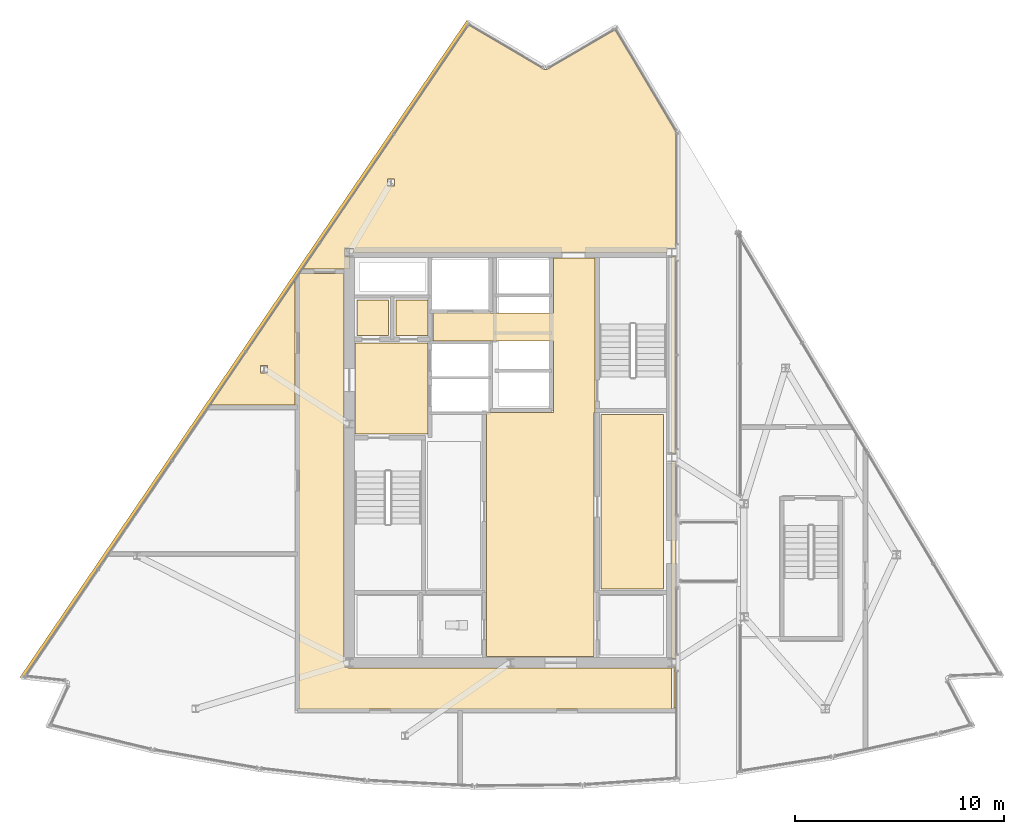
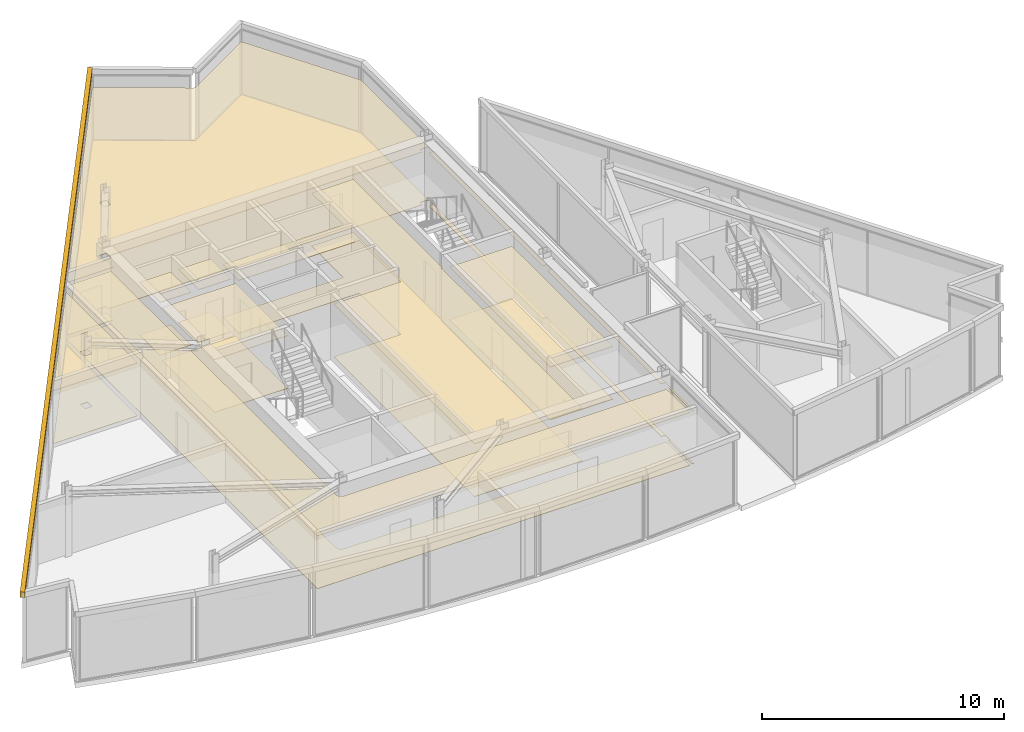
# One storey, part 12 of 15: 17 coverings.
"""IFC4 building model written with IfcOpenShell, lengths in metres."""

from ifc_helpers import new_model, si_unit, direction, frame, origin, place, context, subcontext, project, spatial, polyline, outline, extrude, material, layer, layer_set, type_object, element, save


model = new_model("IFC4")

# Units and contexts
model_context = context("Model", 3, precision=1e-05, world=origin(), true_north=direction((0.0, 1.0)))
body_context = subcontext(model_context, "Body", "Model", "MODEL_VIEW")
ifc_project = project(units=[si_unit("LENGTHUNIT", "METRE"), si_unit("AREAUNIT", "SQUARE_METRE"), si_unit("VOLUMEUNIT", "CUBIC_METRE"), si_unit("PLANEANGLEUNIT", "RADIAN"), si_unit("MASSUNIT", "GRAM", prefix="KILO")], contexts=[model_context])

# Site, building, storey
site_placement = place(None, origin())
site = spatial("IfcSite", under=ifc_project, at=site_placement, CompositionType="ELEMENT")
building_placement = place(site_placement, origin())
building = spatial("IfcBuilding", under=site, at=building_placement, Name="Savorim Split Tower", CompositionType="ELEMENT")
storey_placement = place(building_placement, frame((0.0, 0.0, 297.60009765625)))
storey = spatial("IfcBuildingStorey", under=building, at=storey_placement, Name="Crown L79 Plant", CompositionType="ELEMENT", Elevation=297.60009765625)

# Coverings
ifc_material_1 = material(Name="Mineral Fibre Acoustic Ceiling")
ifc_layer_1 = layer(ifc_material_1, 0.02490234375)
ifc_layer_set_1 = layer_set([ifc_layer_1], Name="COV-CEIL-25")
covering_type_1 = type_object("IfcCoveringType", Name="COV-CEIL-25", PredefinedType="CEILING", material=ifc_layer_set_1)
covering_1_placement = place(storey_placement, frame((0.0, 0.0, 2.659912109375)))
element("IfcCovering", 1, at=covering_1_placement, inside=storey, type_object=covering_type_1, Name="Crown L79 Plant Crown Stair Lobby Acoustic Ceiling", PredefinedType="CEILING", context=body_context, shape_type="SweptSolid", body=[
    extrude(outline(polyline([(-7.429931640625, 5.8701171875), (-7.429931640625, 1.530029296875), (-3.929931640625, 1.530029296875), (-3.929931640625, 5.8701171875), (-7.429931640625, 5.8701171875)])), origin(), (0.0, 0.0, 1.0), 0.02490234375),
])
covering_2_placement = place(storey_placement, frame((0.0, 0.0, 2.659912109375)))
element("IfcCovering", 2, at=covering_2_placement, inside=storey, type_object=covering_type_1, Name="Crown L79 Plant Electrical Riser Acoustic Ceiling", PredefinedType="CEILING", context=body_context, shape_type="SweptSolid", body=[
    extrude(outline(polyline([(-7.320068359375, 7.919921875), (-7.320068359375, 6.22998046875), (-5.830078125, 6.22998046875), (-5.830078125, 7.919921875), (-7.320068359375, 7.919921875)])), origin(), (0.0, 0.0, 1.0), 0.02490234375),
])
covering_3_placement = place(storey_placement, frame((0.0, 0.0, 2.659912109375)))
element("IfcCovering", 3, at=covering_3_placement, inside=storey, type_object=covering_type_1, Name="Crown L79 Plant Telecom Riser Acoustic Ceiling", PredefinedType="CEILING", context=body_context, shape_type="SweptSolid", body=[
    extrude(outline(polyline([(-5.469970703125, 7.919921875), (-5.469970703125, 6.22998046875), (-3.929931640625, 6.22998046875), (-3.929931640625, 7.919921875), (-5.469970703125, 7.919921875)])), origin(), (0.0, 0.0, 1.0), 0.02490234375),
])
covering_4_placement = place(storey_placement, frame((0.0, 0.0, 2.659912109375)))
element("IfcCovering", 4, at=covering_4_placement, inside=storey, type_object=covering_type_1, Name="Crown L79 Plant Lift Lobby Acoustic Ceiling", PredefinedType="CEILING", context=body_context, shape_type="SweptSolid", body=[
    extrude(outline(polyline([(2.050048828125, 2.550048828125), (-1.14990234375, 2.550048828125), (-1.14990234375, -9.10009765625), (4.0, -9.10009765625), (4.0, 2.550048828125), (4.050048828125, 2.550048828125), (4.050048828125, 5.97998046875), (4.050048828125, 7.300048828125), (4.050048828125, 9.929931640625), (2.050048828125, 9.929931640625), (2.050048828125, 7.300048828125), (-3.699951171875, 7.300048828125), (-3.699951171875, 5.97998046875), (2.050048828125, 5.97998046875), (2.050048828125, 2.550048828125)])), origin(), (0.0, 0.0, 1.0), 0.02490234375),
])
covering_5_placement = place(storey_placement, frame((0.0, 0.0, 2.659912109375)))
element("IfcCovering", 5, at=covering_5_placement, inside=storey, type_object=covering_type_1, Name="Crown L79 Plant Crown Link Vestibule Acoustic Ceiling", PredefinedType="CEILING", context=body_context, shape_type="SweptSolid", body=[
    extrude(outline(polyline([(4.330078125, 2.469970703125), (4.330078125, -5.8701171875), (7.320068359375, -5.8701171875), (7.320068359375, 2.469970703125), (4.330078125, 2.469970703125)])), origin(), (0.0, 0.0, 1.0), 0.02490234375),
])
covering_6_placement = place(storey_placement, frame((0.0, 0.0, 2.659912109375)))
element("IfcCovering", 6, at=covering_6_placement, inside=storey, type_object=covering_type_1, Name="Crown L79 Plant Plant Corridor Acoustic Ceiling", PredefinedType="CEILING", context=body_context, shape_type="SweptSolid", body=[
    extrude(outline(polyline([(-10.10009765625, -11.60009765625), (-7.699951171875, -11.60009765625), (7.699951171875, -11.60009765625), (7.699951171875, -9.64990234375), (-7.699951171875, -9.64990234375), (-7.724609375, -9.648681640625), (-7.748779296875, -9.645263671875), (-7.772705078125, -9.63916015625), (-7.795654296875, -9.631103515625), (-7.81787109375, -9.62060546875), (-7.8388671875, -9.60791015625), (-7.85498046875, -9.595947265625), (-7.89697265625, -9.595947265625), (-7.89697265625, -9.553466796875), (-7.907958984375, -9.538818359375), (-7.92041015625, -9.517822265625), (-7.930908203125, -9.49560546875), (-7.939208984375, -9.47265625), (-7.9453125, -9.44873046875), (-7.94873046875, -9.424560546875), (-7.949951171875, -9.39990234375), (-7.949951171875, 9.199951171875), (-10.06396484375, 9.199951171875), (-10.10009765625, 9.147216796875), (-10.10009765625, -9.39990234375), (-10.10009765625, -11.60009765625)])), origin(), (0.0, 0.0, 1.0), 0.02490234375),
])
covering_7_placement = place(storey_placement, frame((0.0, 0.0, 2.659912109375)))
element("IfcCovering", 7, at=covering_7_placement, inside=storey, type_object=covering_type_1, Name="Crown L79 Plant Smoke Extract Fan Plant Room Acoustic Ceiling", PredefinedType="CEILING", context=body_context, shape_type="SweptSolid", body=[
    extrude(outline(polyline([(1.617919921875, 18.943603515625), (1.606201171875, 18.949951171875), (-1.99267578125, 21.06494140625), (-9.927978515625, 9.39990234375), (-7.699951171875, 9.39990234375), (-7.699951171875, 10.00390625), (-7.89697265625, 10.00390625), (-7.89697265625, 10.39599609375), (-7.5029296875, 10.39599609375), (-7.5029296875, 10.199951171875), (7.5029296875, 10.199951171875), (7.5029296875, 10.39599609375), (7.89697265625, 10.39599609375), (7.89697265625, 10.00390625), (7.699951171875, 10.00390625), (7.699951171875, 0.595947265625), (7.89697265625, 0.595947265625), (7.89697265625, 0.2041015625), (7.699951171875, 0.2041015625), (7.699951171875, -9.2041015625), (7.89697265625, -9.2041015625), (7.89697265625, -9.595947265625), (7.820068359375, -9.595947265625), (7.820068359375, -11.56005859375), (7.909912109375, -11.56005859375), (7.909912109375, 15.951904296875), (5.000244140625, 20.845458984375), (1.74755859375, 18.94970703125), (1.735595703125, 18.943359375), (1.722900390625, 18.9384765625), (1.710205078125, 18.9345703125), (1.697021484375, 18.931884765625), (1.68359375, 18.930908203125), (1.669921875, 18.930908203125), (1.656494140625, 18.93212890625), (1.643310546875, 18.934814453125), (1.630615234375, 18.938720703125), (1.617919921875, 18.943603515625)]), holes=[polyline([(-5.545166015625, 13.71728515625), (-5.875244140625, 13.71728515625), (-5.875244140625, 13.3671875), (-5.545166015625, 13.3671875), (-5.545166015625, 13.71728515625)])]), origin(), (0.0, 0.0, 1.0), 0.02490234375),
])
covering_8_placement = place(storey_placement, frame((0.0, 0.0, 2.659912109375)))
element("IfcCovering", 8, at=covering_8_placement, inside=storey, type_object=covering_type_1, Name="Crown L79 Plant Heat Recovery Plant Room Acoustic Ceiling", PredefinedType="CEILING", context=body_context, shape_type="SweptSolid", body=[
    extrude(outline(polyline([(-14.336181640625, 2.919921875), (-10.300048828125, 2.919921875), (-10.300048828125, 8.85302734375), (-14.336181640625, 2.919921875)]), holes=[polyline([(-11.6103515625, 4.451904296875), (-11.6103515625, 4.8017578125), (-11.940185546875, 4.8017578125), (-11.940185546875, 4.451904296875), (-11.6103515625, 4.451904296875)])]), origin(), (0.0, 0.0, 1.0), 0.02490234375),
])
ifc_material_2 = material(Name="Terracotta Ceramic-Coated Aluminium Fin", Category="masonry")
ifc_layer_2 = layer(ifc_material_2, 0.050048828125)
ifc_layer_set_2 = layer_set([ifc_layer_2], Name="COV-CLAD-TERRA")
covering_type_2 = type_object("IfcCoveringType", Name="COV-CLAD-TERRA", PredefinedType="CLADDING", material=ifc_layer_set_2)
covering_9_placement = place(storey_placement, frame((0.0, 0.0, 3.33984375)))
element("IfcCovering", 9, at=covering_9_placement, inside=storey, type_object=covering_type_2, Name="Crown L79 Plant Sloped Crest Eave Spandrel W5", PredefinedType="CLADDING", context=body_context, shape_type="SweptSolid", body=[
    extrude(outline(polyline([(-2.084228515625, 21.28564453125), (-23.43017578125, -10.092529296875), (-23.264892578125, -10.205078125), (-1.918701171875, 21.17333984375), (-2.084228515625, 21.28564453125)])), origin(), (0.0, 0.0, 1.0), 0.260009765625),
])
ifc_material_3 = material(Name="Porcelain Stoneware Flooring", Category="masonry")
ifc_layer_3 = layer(ifc_material_3, 0.02001953125)
ifc_layer_set_3 = layer_set([ifc_layer_3], Name="COV-FLOR-20")
covering_type_3 = type_object("IfcCoveringType", Name="COV-FLOR-20", PredefinedType="FLOORING", material=ifc_layer_set_3)
covering_10_placement = place(storey_placement, origin())
element("IfcCovering", 10, at=covering_10_placement, inside=storey, type_object=covering_type_3, Name="Crown L79 Plant Crown Stair Lobby Porcelain Flooring", PredefinedType="FLOORING", context=body_context, shape_type="SweptSolid", body=[
    extrude(outline(polyline([(-7.429931640625, 5.8701171875), (-7.429931640625, 1.530029296875), (-3.929931640625, 1.530029296875), (-3.929931640625, 5.8701171875), (-7.429931640625, 5.8701171875)])), origin(), (0.0, 0.0, 1.0), 0.02001953125),
])
covering_11_placement = place(storey_placement, origin())
element("IfcCovering", 11, at=covering_11_placement, inside=storey, type_object=covering_type_3, Name="Crown L79 Plant Electrical Riser Porcelain Flooring", PredefinedType="FLOORING", context=body_context, shape_type="SweptSolid", body=[
    extrude(outline(polyline([(-7.320068359375, 7.919921875), (-7.320068359375, 6.22998046875), (-5.830078125, 6.22998046875), (-5.830078125, 7.919921875), (-7.320068359375, 7.919921875)])), origin(), (0.0, 0.0, 1.0), 0.02001953125),
])
covering_12_placement = place(storey_placement, origin())
element("IfcCovering", 12, at=covering_12_placement, inside=storey, type_object=covering_type_3, Name="Crown L79 Plant Telecom Riser Porcelain Flooring", PredefinedType="FLOORING", context=body_context, shape_type="SweptSolid", body=[
    extrude(outline(polyline([(-5.469970703125, 7.919921875), (-5.469970703125, 6.22998046875), (-3.929931640625, 6.22998046875), (-3.929931640625, 7.919921875), (-5.469970703125, 7.919921875)])), origin(), (0.0, 0.0, 1.0), 0.02001953125),
])
covering_13_placement = place(storey_placement, origin())
element("IfcCovering", 13, at=covering_13_placement, inside=storey, type_object=covering_type_3, Name="Crown L79 Plant Lift Lobby Porcelain Flooring", PredefinedType="FLOORING", context=body_context, shape_type="SweptSolid", body=[
    extrude(outline(polyline([(2.050048828125, 2.550048828125), (-1.14990234375, 2.550048828125), (-1.14990234375, -9.10009765625), (4.0, -9.10009765625), (4.0, 2.550048828125), (4.050048828125, 2.550048828125), (4.050048828125, 5.97998046875), (4.050048828125, 7.300048828125), (4.050048828125, 9.929931640625), (2.050048828125, 9.929931640625), (2.050048828125, 7.300048828125), (-3.699951171875, 7.300048828125), (-3.699951171875, 5.97998046875), (2.050048828125, 5.97998046875), (2.050048828125, 2.550048828125)])), origin(), (0.0, 0.0, 1.0), 0.02001953125),
])
covering_14_placement = place(storey_placement, origin())
element("IfcCovering", 14, at=covering_14_placement, inside=storey, type_object=covering_type_3, Name="Crown L79 Plant Crown Link Vestibule Porcelain Flooring", PredefinedType="FLOORING", context=body_context, shape_type="SweptSolid", body=[
    extrude(outline(polyline([(4.330078125, 2.469970703125), (4.330078125, -5.8701171875), (7.320068359375, -5.8701171875), (7.320068359375, 2.469970703125), (4.330078125, 2.469970703125)])), origin(), (0.0, 0.0, 1.0), 0.02001953125),
])
covering_15_placement = place(storey_placement, origin())
element("IfcCovering", 15, at=covering_15_placement, inside=storey, type_object=covering_type_3, Name="Crown L79 Plant Plant Corridor Porcelain Flooring", PredefinedType="FLOORING", context=body_context, shape_type="SweptSolid", body=[
    extrude(outline(polyline([(-10.10009765625, -11.60009765625), (-7.699951171875, -11.60009765625), (7.699951171875, -11.60009765625), (7.699951171875, -9.64990234375), (-7.699951171875, -9.64990234375), (-7.724609375, -9.648681640625), (-7.748779296875, -9.645263671875), (-7.772705078125, -9.63916015625), (-7.795654296875, -9.631103515625), (-7.81787109375, -9.62060546875), (-7.8388671875, -9.60791015625), (-7.85498046875, -9.595947265625), (-7.89697265625, -9.595947265625), (-7.89697265625, -9.553466796875), (-7.907958984375, -9.538818359375), (-7.92041015625, -9.517822265625), (-7.930908203125, -9.49560546875), (-7.939208984375, -9.47265625), (-7.9453125, -9.44873046875), (-7.94873046875, -9.424560546875), (-7.949951171875, -9.39990234375), (-7.949951171875, 9.199951171875), (-10.06396484375, 9.199951171875), (-10.10009765625, 9.147216796875), (-10.10009765625, -9.39990234375), (-10.10009765625, -11.60009765625)])), origin(), (0.0, 0.0, 1.0), 0.02001953125),
])
covering_16_placement = place(storey_placement, origin())
element("IfcCovering", 16, at=covering_16_placement, inside=storey, type_object=covering_type_3, Name="Crown L79 Plant Smoke Extract Fan Plant Room Porcelain Flooring", PredefinedType="FLOORING", context=body_context, shape_type="SweptSolid", body=[
    extrude(outline(polyline([(1.617919921875, 18.943603515625), (1.606201171875, 18.949951171875), (-1.99267578125, 21.06494140625), (-9.927978515625, 9.39990234375), (-7.699951171875, 9.39990234375), (-7.699951171875, 10.00390625), (-7.89697265625, 10.00390625), (-7.89697265625, 10.39599609375), (-7.5029296875, 10.39599609375), (-7.5029296875, 10.199951171875), (7.5029296875, 10.199951171875), (7.5029296875, 10.39599609375), (7.89697265625, 10.39599609375), (7.89697265625, 10.00390625), (7.699951171875, 10.00390625), (7.699951171875, 0.595947265625), (7.89697265625, 0.595947265625), (7.89697265625, 0.2041015625), (7.699951171875, 0.2041015625), (7.699951171875, -9.2041015625), (7.89697265625, -9.2041015625), (7.89697265625, -9.595947265625), (7.820068359375, -9.595947265625), (7.820068359375, -11.56005859375), (7.909912109375, -11.56005859375), (7.909912109375, 15.951904296875), (5.000244140625, 20.845458984375), (1.74755859375, 18.94970703125), (1.735595703125, 18.943359375), (1.722900390625, 18.9384765625), (1.710205078125, 18.9345703125), (1.697021484375, 18.931884765625), (1.68359375, 18.930908203125), (1.669921875, 18.930908203125), (1.656494140625, 18.93212890625), (1.643310546875, 18.934814453125), (1.630615234375, 18.938720703125), (1.617919921875, 18.943603515625)]), holes=[polyline([(-5.545166015625, 13.71728515625), (-5.875244140625, 13.71728515625), (-5.875244140625, 13.3671875), (-5.545166015625, 13.3671875), (-5.545166015625, 13.71728515625)])]), origin(), (0.0, 0.0, 1.0), 0.02001953125),
])
covering_17_placement = place(storey_placement, origin())
element("IfcCovering", 17, at=covering_17_placement, inside=storey, type_object=covering_type_3, Name="Crown L79 Plant Heat Recovery Plant Room Porcelain Flooring", PredefinedType="FLOORING", context=body_context, shape_type="SweptSolid", body=[
    extrude(outline(polyline([(-14.336181640625, 2.919921875), (-10.300048828125, 2.919921875), (-10.300048828125, 8.85302734375), (-14.336181640625, 2.919921875)]), holes=[polyline([(-11.6103515625, 4.451904296875), (-11.6103515625, 4.8017578125), (-11.940185546875, 4.8017578125), (-11.940185546875, 4.451904296875), (-11.6103515625, 4.451904296875)])]), origin(), (0.0, 0.0, 1.0), 0.02001953125),
])

save(model, "model.ifc")
